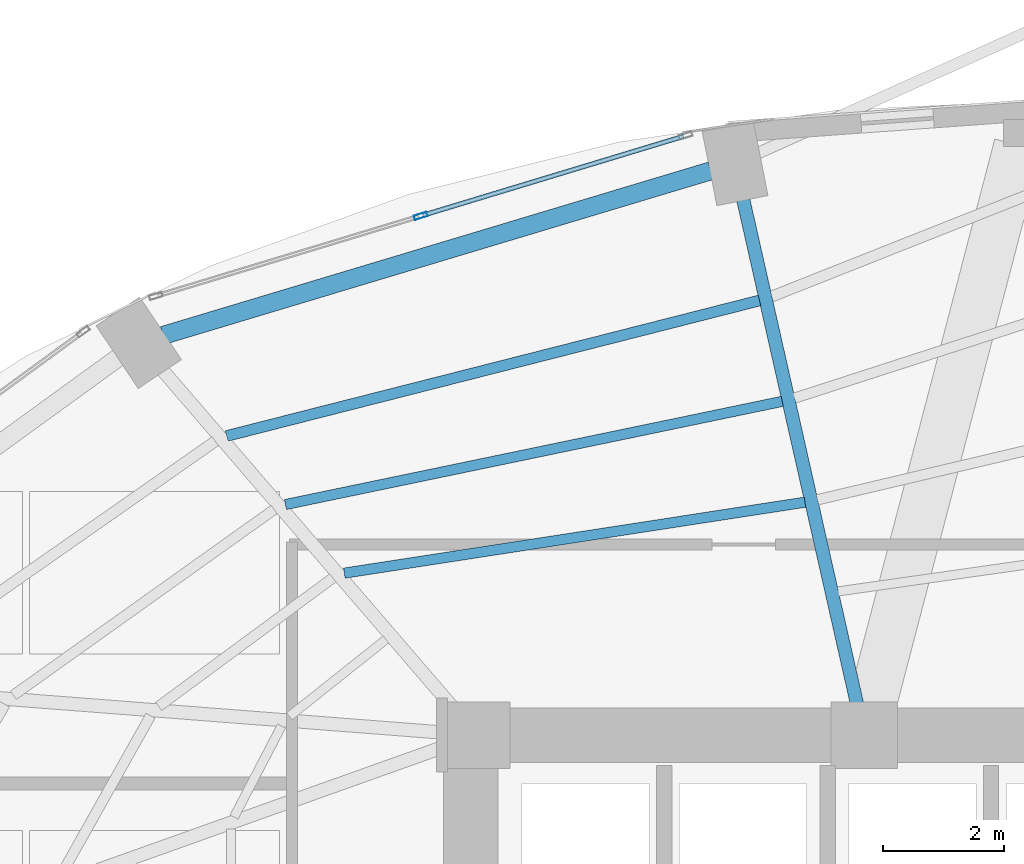
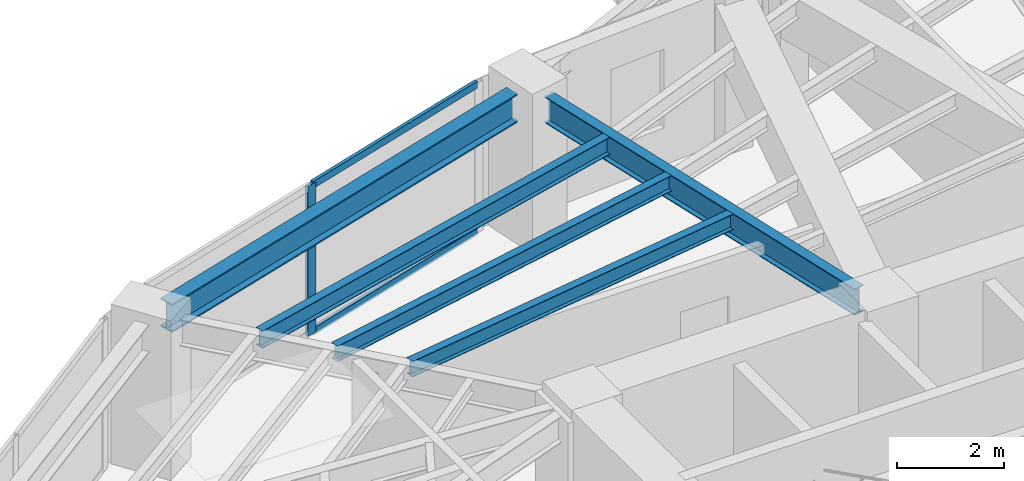
# One storey, part 14 of 24: 5 beams, 3 members, 1 element without a shape of its own.
"""IFC4 building model written with IfcOpenShell, lengths in metres."""

from ifc_helpers import new_model, si_unit, direction, frame, origin, origin_2d, place, context, subcontext, project, spatial, hollow_rectangle, i_section, extrude, material, layer, layer_set, material_profile, profile_set, type_object, element, aggregate, save


model = new_model("IFC4")

# Units and contexts
model_context = context("Model", 3, precision=1e-05, world=origin(), true_north=direction((0.0, 1.0)))
body_context = subcontext(model_context, "Body", "Model", "MODEL_VIEW")
ifc_project = project(units=[si_unit("LENGTHUNIT", "METRE"), si_unit("AREAUNIT", "SQUARE_METRE"), si_unit("VOLUMEUNIT", "CUBIC_METRE"), si_unit("PLANEANGLEUNIT", "RADIAN"), si_unit("MASSUNIT", "GRAM", prefix="KILO")], contexts=[model_context])

# Site, building, storey
site_placement = place(None, origin())
site = spatial("IfcSite", under=ifc_project, at=site_placement, CompositionType="ELEMENT")
building_placement = place(site_placement, origin())
building = spatial("IfcBuilding", under=site, at=building_placement, Name="Lazwardi Medical Tower", CompositionType="ELEMENT")
storey_placement = place(building_placement, frame((0.0, 0.0, 65.327880859375)))
storey = spatial("IfcBuildingStorey", under=building, at=storey_placement, Name="L16", CompositionType="ELEMENT", Elevation=65.327880859375)

# Beams
ifc_material_1 = material(Name="Steel S355", Category="steel")
ifc_material_profile_1 = material_profile(ifc_material_1, i_section(OverallWidth=0.300048828125, OverallDepth=0.64990234375, WebThickness=0.01611328125, FlangeThickness=0.031005859375, at=origin_2d()), Name="HEB 650")
ifc_profile_set_1 = profile_set([ifc_material_profile_1], Name="Steel S355")
beam_type_1 = type_object("IfcBeamType", Name="BM-RB-Z1", PredefinedType="BEAM", material=ifc_profile_set_1)
beam_1_placement = place(storey_placement, frame((30.26708984375, 44.923095703125, 3.10302734375), z_axis=(-0.957695289269, -0.287784177662, 0.0), x_axis=(0.287784177662, -0.957695289269, 0.0)))
element("IfcBeam", 1, at=beam_1_placement, inside=storey, type_object=beam_type_1, Name="Ring beam RB-02 B09 L16", PredefinedType="BEAM", context=body_context, shape_type="SweptSolid", body=[
    extrude(i_section(OverallWidth=0.300048828125, OverallDepth=0.64990234375, WebThickness=0.01611328125, FlangeThickness=0.031005859375, at=origin_2d()), origin(), (0.0, 0.0, 1.0), 9.445556640625),
])
ifc_material_profile_2 = material_profile(ifc_material_1, i_section(OverallWidth=0.219970703125, OverallDepth=0.60009765625, WebThickness=0.011962890625, FlangeThickness=0.01904296875, at=origin_2d()), Name="IPE 600")
ifc_profile_set_2 = profile_set([ifc_material_profile_2], Name="Steel S355")
beam_type_2 = type_object("IfcBeamType", Name="BM-RG-W1", PredefinedType="BEAM", material=ifc_profile_set_2)
beam_2_placement = place(storey_placement, frame((30.796875, 44.478271484375, 3.128173828125), z_axis=(0.22010079219, -0.975477135189, 0.0), x_axis=(0.975477135189, 0.22010079219, 0.0)))
element("IfcBeam", 2, at=beam_2_placement, inside=storey, type_object=beam_type_2, Name="Radial girder RG-02 R09 L16", PredefinedType="BEAM", context=body_context, shape_type="SweptSolid", body=[
    extrude(i_section(OverallWidth=0.219970703125, OverallDepth=0.60009765625, WebThickness=0.011962890625, FlangeThickness=0.01904296875, at=origin_2d()), origin(), (0.0, 0.0, 1.0), 8.56640625),
])
ifc_material_profile_3 = material_profile(ifc_material_1, i_section(OverallWidth=0.179931640625, OverallDepth=0.39990234375, WebThickness=0.008544921875, FlangeThickness=0.013427734375, at=origin_2d()), Name="IPE 400")
ifc_profile_set_3 = profile_set([ifc_material_profile_3], Name="Steel S355")
beam_type_3 = type_object("IfcBeamType", Name="BM-SJ-01", PredefinedType="JOIST", material=ifc_profile_set_3)
beam_3_placement = place(storey_placement, frame((31.072265625, 42.781005859375, 3.22802734375), z_axis=(-0.969151012048, -0.246467677081, 0.0), x_axis=(0.246467677081, -0.969151012048, 0.0)))
element("IfcBeam", 3, at=beam_3_placement, inside=storey, type_object=beam_type_3, Name="Secondary joist SJ-01 R1 B09 L16", PredefinedType="JOIST", context=body_context, shape_type="SweptSolid", body=[
    extrude(i_section(OverallWidth=0.179931640625, OverallDepth=0.39990234375, WebThickness=0.008544921875, FlangeThickness=0.013427734375, at=origin_2d()), origin(), (0.0, 0.0, 1.0), 9.08251953125),
])
ifc_material_profile_4 = material_profile(ifc_material_1, i_section(OverallWidth=0.169921875, OverallDepth=0.360107421875, WebThickness=0.008056640625, FlangeThickness=0.0126953125, at=origin_2d()), Name="IPE 360")
ifc_profile_set_4 = profile_set([ifc_material_profile_4], Name="Steel S355")
beam_type_4 = type_object("IfcBeamType", Name="BM-SJ-02", PredefinedType="JOIST", material=ifc_profile_set_4)
beam_4_placement = place(storey_placement, frame((31.4482421875, 41.114501953125, 3.248046875), z_axis=(-0.979107693723, -0.203342381445, 0.0), x_axis=(0.203342381445, -0.979107693723, 0.0)))
element("IfcBeam", 4, at=beam_4_placement, inside=storey, type_object=beam_type_4, Name="Secondary joist SJ-02 R2 B09 L16", PredefinedType="JOIST", context=body_context, shape_type="SweptSolid", body=[
    extrude(i_section(OverallWidth=0.169921875, OverallDepth=0.360107421875, WebThickness=0.008056640625, FlangeThickness=0.0126953125, at=origin_2d()), origin(), (0.0, 0.0, 1.0), 8.381591796875),
])
beam_5_placement = place(storey_placement, frame((31.824462890625, 39.448486328125, 3.248046875), z_axis=(-0.988362899594, -0.152114360618, 0.0), x_axis=(0.152114360618, -0.988362899594, 0.0)))
element("IfcBeam", 5, at=beam_5_placement, inside=storey, type_object=beam_type_4, Name="Secondary joist SJ-02 R3 B09 L16", PredefinedType="JOIST", context=body_context, shape_type="SweptSolid", body=[
    extrude(i_section(OverallWidth=0.169921875, OverallDepth=0.360107421875, WebThickness=0.008056640625, FlangeThickness=0.0126953125, at=origin_2d()), origin(), (0.0, 0.0, 1.0), 7.70068359375),
])

# Curtain wall, members
ifc_material_2 = material(Name="Anodised bronze aluminium and solar control glazing", Category="aluminium")
ifc_layer = layer(ifc_material_2, 0.199951171875)
ifc_layer_set = layer_set([ifc_layer], Name="Anodised bronze aluminium and solar control glazing")
curtain_wall_type = type_object("IfcCurtainWallType", Name="CW-SYS-02", PredefinedType="NOTDEFINED", material=ifc_layer_set)
curtain_wall_placement = place(storey_placement, origin())
curtain_wall = element("IfcCurtainWall", 6, at=curtain_wall_placement, inside=storey, type_object=curtain_wall_type, Name="L16 Unitised bronze curtain wall CW-02", PredefinedType="NOTDEFINED")
ifc_material_3 = material(Name="Anodised bronze aluminium", Category="aluminium")
ifc_material_profile_5 = material_profile(ifc_material_3, hollow_rectangle(XDim=0.074951171875, YDim=0.219970703125, WallThickness=0.00390625, at=origin_2d()), Name="ALU-MULLION 220x75x4")
ifc_profile_set_5 = profile_set([ifc_material_profile_5], Name="Anodised bronze aluminium")
member_type_1 = type_object("IfcMemberType", Name="CW-MUL-01", PredefinedType="MULLION", material=ifc_profile_set_5)
member_1_placement = place(storey_placement, frame((25.476806640625, 44.178466796875, 0.0), z_axis=(0.0, 0.0, 1.0), x_axis=(0.2898956909, -0.957058247129, 0.0)))
member_1 = element("IfcMember", 7, at=member_1_placement, type_object=member_type_1, Name="CW-02 mullion 2", PredefinedType="MULLION", context=body_context, shape_type="SweptSolid", body=[
    extrude(hollow_rectangle(XDim=0.074951171875, YDim=0.219970703125, WallThickness=0.00390625, at=origin_2d()), origin(), (0.0, 0.0, 1.0), 3.42822265625),
])
ifc_material_profile_6 = material_profile(ifc_material_3, hollow_rectangle(XDim=0.074951171875, YDim=0.159912109375, WallThickness=0.00390625, at=origin_2d()), Name="ALU-TRANSOM 160x75x4")
ifc_profile_set_6 = profile_set([ifc_material_profile_6], Name="Anodised bronze aluminium")
member_type_2 = type_object("IfcMemberType", Name="CW-TRN-01", PredefinedType="USERDEFINED", material=ifc_profile_set_6)
member_2_placement = place(storey_placement, frame((29.816162109375, 45.492919921875, 0.03759765625), z_axis=(-0.957047233423, -0.28993204893, 0.0), x_axis=(0.28993204893, -0.957047233423, 0.0)))
member_2 = element("IfcMember", 8, at=member_2_placement, type_object=member_type_2, Name="CW-02 transom 1.1", ObjectType="TRANSOM", PredefinedType="USERDEFINED", context=body_context, shape_type="SweptSolid", body=[
    extrude(hollow_rectangle(XDim=0.074951171875, YDim=0.159912109375, WallThickness=0.00390625, at=origin_2d()), origin(), (0.0, 0.0, 1.0), 4.49658203125),
])
member_3_placement = place(storey_placement, frame((29.816162109375, 45.492919921875, 3.390625), z_axis=(-0.957047233423, -0.28993204893, 0.0), x_axis=(0.28993204893, -0.957047233423, 0.0)))
member_3 = element("IfcMember", 9, at=member_3_placement, type_object=member_type_2, Name="CW-02 transom 1.2", ObjectType="TRANSOM", PredefinedType="USERDEFINED", context=body_context, shape_type="SweptSolid", body=[
    extrude(hollow_rectangle(XDim=0.074951171875, YDim=0.159912109375, WallThickness=0.00390625, at=origin_2d()), origin(), (0.0, 0.0, 1.0), 4.49658203125),
])
aggregate(curtain_wall, [member_1, member_2, member_3])

save(model, "model.ifc")
